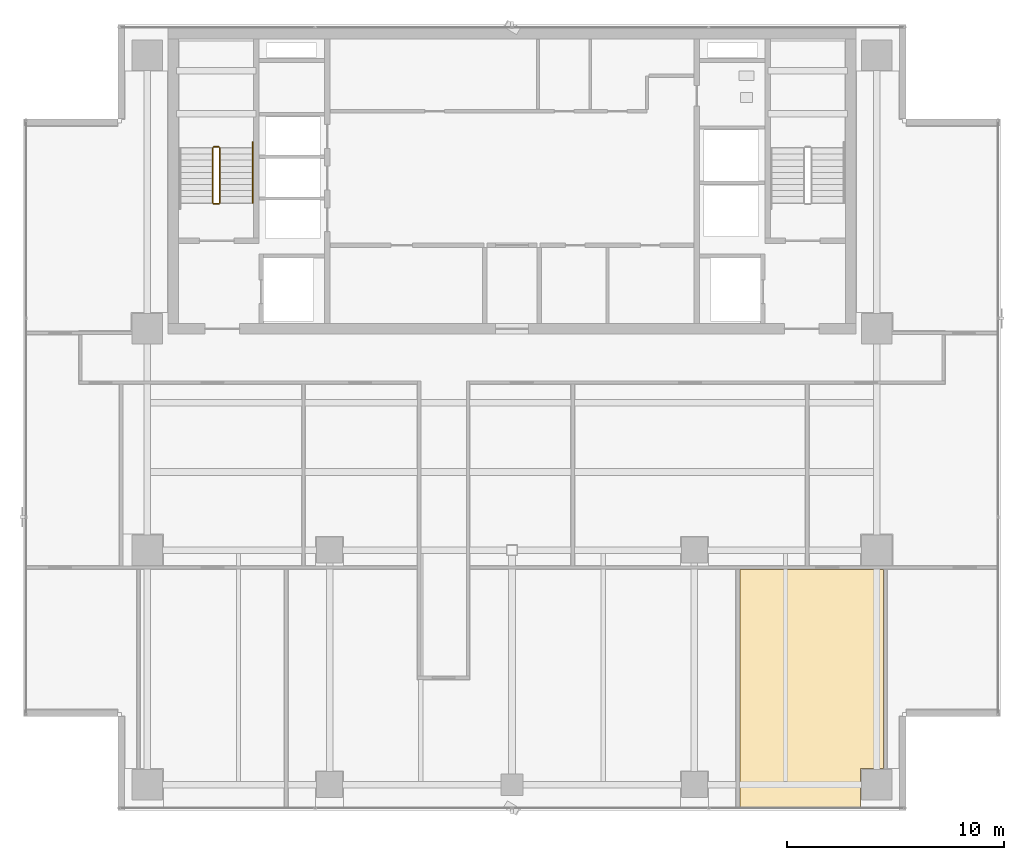
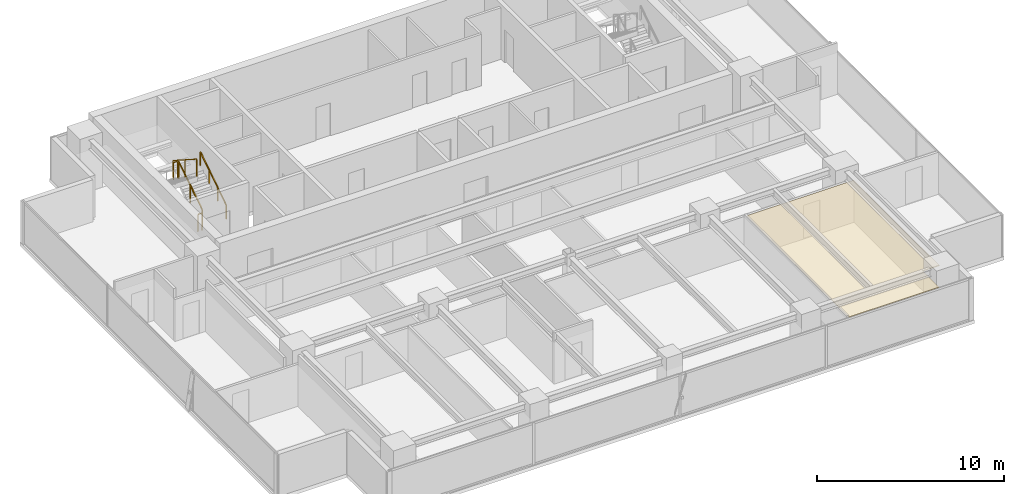
# One storey, part 23 of 25: 5 railings, 1 covering.
"""IFC4 building model written with IfcOpenShell, lengths in metres."""

from ifc_helpers import new_model, si_unit, direction, frame, origin, origin_2d, place, context, subcontext, project, spatial, polyline, rectangle, outline, extrude, material, layer, layer_set, type_object, element, save


model = new_model("IFC4")

# Units and contexts
model_context = context("Model", 3, precision=1e-05, world=origin(), true_north=direction((0.0, 1.0)))
body_context = subcontext(model_context, "Body", "Model", "MODEL_VIEW")
ifc_project = project(units=[si_unit("LENGTHUNIT", "METRE"), si_unit("AREAUNIT", "SQUARE_METRE"), si_unit("VOLUMEUNIT", "CUBIC_METRE"), si_unit("PLANEANGLEUNIT", "RADIAN"), si_unit("MASSUNIT", "GRAM", prefix="KILO")], contexts=[model_context])

# Site, building, storey
site_placement = place(None, origin())
site = spatial("IfcSite", under=ifc_project, at=site_placement, CompositionType="ELEMENT")
building_placement = place(site_placement, origin())
building = spatial("IfcBuilding", under=site, at=building_placement, Name="Sumidabori Civic Tower", CompositionType="ELEMENT")
storey_placement = place(building_placement, frame((0.0, 0.0, 246.800048828125)))
storey = spatial("IfcBuildingStorey", under=building, at=storey_placement, Name="L64", CompositionType="ELEMENT", Elevation=246.800048828125)

# Covering
ifc_material_1 = material(Name="Anodised Bronze Baffle Ceiling")
ifc_layer = layer(ifc_material_1, 0.054931640625, Name="Anodised Bronze Baffle Ceiling")
ifc_layer_set = layer_set([ifc_layer], Name="Anodised Bronze Baffle Ceiling")
covering_type = type_object("IfcCoveringType", Name="CV-CEIL-AC3", PredefinedType="CEILING", material=ifc_layer_set)
covering_placement = place(storey_placement, frame((0.0, 0.0, 2.719970703125)))
element("IfcCovering", 1, at=covering_placement, inside=storey, type_object=covering_type, Name="Room Acoustic Ceiling L64-12", PredefinedType="CEILING", context=body_context, shape_type="SweptSolid", body=[
    extrude(outline(polyline([(10.4951171875, -11.830078125), (10.4951171875, -0.89501953125), (17.10498046875, -0.89501953125), (17.10498046875, -10.06005859375), (16.06005859375, -10.06005859375), (16.06005859375, -11.830078125), (10.4951171875, -11.830078125)])), origin(), (0.0, 0.0, 1.0), 0.054931640625),
])

# Railings
ifc_material_2 = material(Name="Stainless Steel Hairline Finish", Category="steel")
railing_type_1 = type_object("IfcRailingType", Name="RL-HANDRAIL", PredefinedType="HANDRAIL", material=ifc_material_2)
railing_1_placement = place(storey_placement, frame((-11.949951171875, 16.0, 0.179931640625)))
element("IfcRailing", 2, at=railing_1_placement, inside=storey, type_object=railing_type_1, Name="L64 ST-1 stair handrail 1", PredefinedType="HANDRAIL", context=body_context, shape_type="SweptSolid", body=[
    extrude(rectangle(XDim=0.048095703125, YDim=0.048095703125, at=origin_2d()), frame((0.0, 0.0, 0.8759765625), z_axis=(0.0, 0.840675598268, 0.541539046124), x_axis=(-1.0, 0.0, 0.0)), (0.0, 0.0, 1.0), 3.330810546875),
    extrude(rectangle(XDim=0.0419921875, YDim=0.0419921875, at=origin_2d()), origin(), (0.0, 0.0, 1.0), 0.851806640625),
    extrude(rectangle(XDim=0.0419921875, YDim=0.0419921875, at=origin_2d()), frame((0.0, 0.933349609375, 0.601318359375)), (0.0, 0.0, 1.0), 0.851806640625),
    extrude(rectangle(XDim=0.0419921875, YDim=0.0419921875, at=origin_2d()), frame((0.0, 1.86669921875, 1.202392578125)), (0.0, 0.0, 1.0), 0.851806640625),
    extrude(rectangle(XDim=0.0419921875, YDim=0.0419921875, at=origin_2d()), frame((0.0, 2.800048828125, 1.8037109375)), (0.0, 0.0, 1.0), 0.851806640625),
])
ifc_material_3 = material(Name="Steel SN490", Category="steel")
railing_type_2 = type_object("IfcRailingType", Name="RL-STAIR-GUARD", PredefinedType="GUARDRAIL", material=ifc_material_3)
railing_2_placement = place(storey_placement, frame((-13.449951171875, 16.0, 0.179931640625)))
element("IfcRailing", 3, at=railing_2_placement, inside=storey, type_object=railing_type_2, Name="L64 ST-1 stair guard 1", PredefinedType="GUARDRAIL", context=body_context, shape_type="SweptSolid", body=[
    extrude(rectangle(XDim=0.048095703125, YDim=0.048095703125, at=origin_2d()), frame((0.0, 0.0, 1.1259765625), z_axis=(0.0, 0.841162588446, 0.540782303519), x_axis=(-1.0, 0.0, 0.0)), (0.0, 0.0, 1.0), 2.995849609375),
    extrude(rectangle(XDim=0.0419921875, YDim=0.0419921875, at=origin_2d()), origin(), (0.0, 0.0, 1.0), 1.101806640625),
    extrude(rectangle(XDim=0.0419921875, YDim=0.0419921875, at=origin_2d()), frame((0.0, 1.260009765625, 0.81005859375)), (0.0, 0.0, 1.0), 1.101806640625),
    extrude(rectangle(XDim=0.0419921875, YDim=0.0419921875, at=origin_2d()), frame((0.0, 2.52001953125, 1.6201171875)), (0.0, 0.0, 1.0), 1.101806640625),
])
railing_3_placement = place(storey_placement, frame((-13.5, 18.570068359375, 1.800048828125)))
element("IfcRailing", 4, at=railing_3_placement, inside=storey, type_object=railing_type_2, Name="L64 ST-1 stair guard 2", PredefinedType="GUARDRAIL", context=body_context, shape_type="SweptSolid", body=[
    extrude(rectangle(XDim=0.048095703125, YDim=0.048095703125, at=origin_2d()), frame((0.0, 0.0, 1.1259765625), z_axis=(-1.0, 0.0, 0.0), x_axis=(0.0, -1.0, 0.0)), (0.0, 0.0, 1.0), 0.239990234375),
    extrude(rectangle(XDim=0.0419921875, YDim=0.0419921875, at=origin_2d()), origin(), (0.0, 0.0, 1.0), 1.101806640625),
    extrude(rectangle(XDim=0.0419921875, YDim=0.0419921875, at=origin_2d()), frame((-0.239990234375, 0.0, 0.0)), (0.0, 0.0, 1.0), 1.101806640625),
])
railing_4_placement = place(storey_placement, frame((-13.7900390625, 18.52001953125, 1.97998046875)))
element("IfcRailing", 5, at=railing_4_placement, inside=storey, type_object=railing_type_2, Name="L64 ST-1 stair guard 3", PredefinedType="GUARDRAIL", context=body_context, shape_type="SweptSolid", body=[
    extrude(rectangle(XDim=0.048095703125, YDim=0.048095703125, at=origin_2d()), frame((0.0, 0.0, 1.1259765625), z_axis=(0.0, -0.841199657755, 0.540724639528), x_axis=(1.0, 0.0, 0.0)), (0.0, 0.0, 1.0), 2.995849609375),
    extrude(rectangle(XDim=0.0419921875, YDim=0.0419921875, at=origin_2d()), origin(), (0.0, 0.0, 1.0), 1.101806640625),
    extrude(rectangle(XDim=0.0419921875, YDim=0.0419921875, at=origin_2d()), frame((0.0, -1.260009765625, 0.81005859375)), (0.0, 0.0, 1.0), 1.101806640625),
    extrude(rectangle(XDim=0.0419921875, YDim=0.0419921875, at=origin_2d()), frame((0.0, -2.52001953125, 1.619873046875)), (0.0, 0.0, 1.0), 1.101806640625),
])
railing_5_placement = place(storey_placement, frame((-13.5, 15.949951171875, 0.0)))
element("IfcRailing", 6, at=railing_5_placement, inside=storey, type_object=railing_type_2, Name="L64 ST-1 stair guard 4", PredefinedType="GUARDRAIL", context=body_context, shape_type="SweptSolid", body=[
    extrude(rectangle(XDim=0.048095703125, YDim=0.048095703125, at=origin_2d()), frame((0.0, 0.0, 1.1259765625), z_axis=(-1.0, 0.0, 0.0), x_axis=(0.0, -1.0, 0.0)), (0.0, 0.0, 1.0), 0.239990234375),
    extrude(rectangle(XDim=0.0419921875, YDim=0.0419921875, at=origin_2d()), origin(), (0.0, 0.0, 1.0), 1.101806640625),
    extrude(rectangle(XDim=0.0419921875, YDim=0.0419921875, at=origin_2d()), frame((-0.239990234375, 0.0, 0.0)), (0.0, 0.0, 1.0), 1.101806640625),
])

save(model, "model.ifc")
